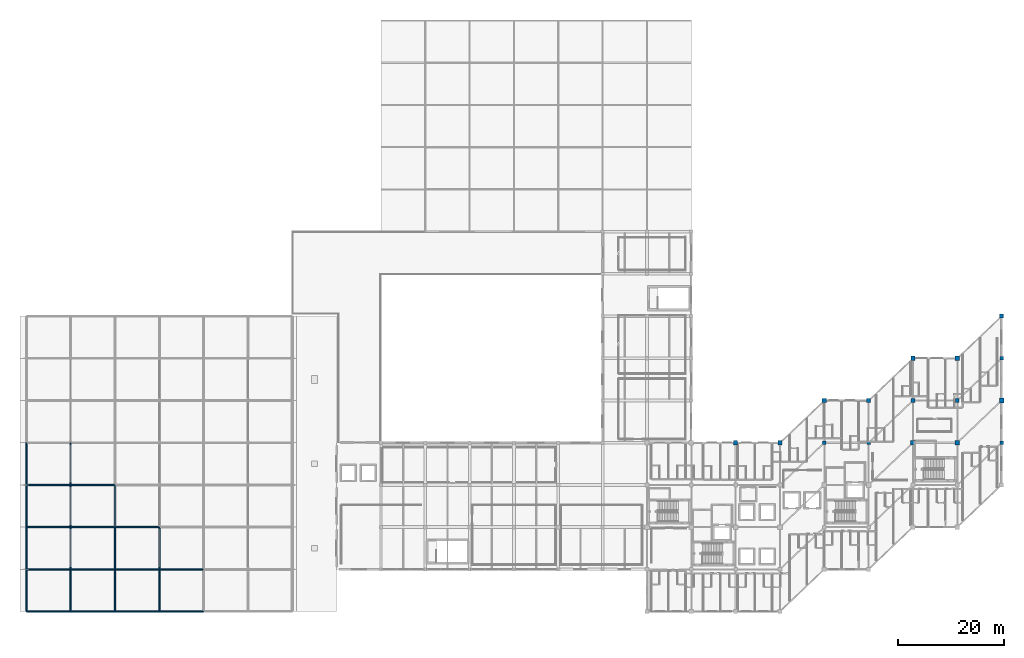
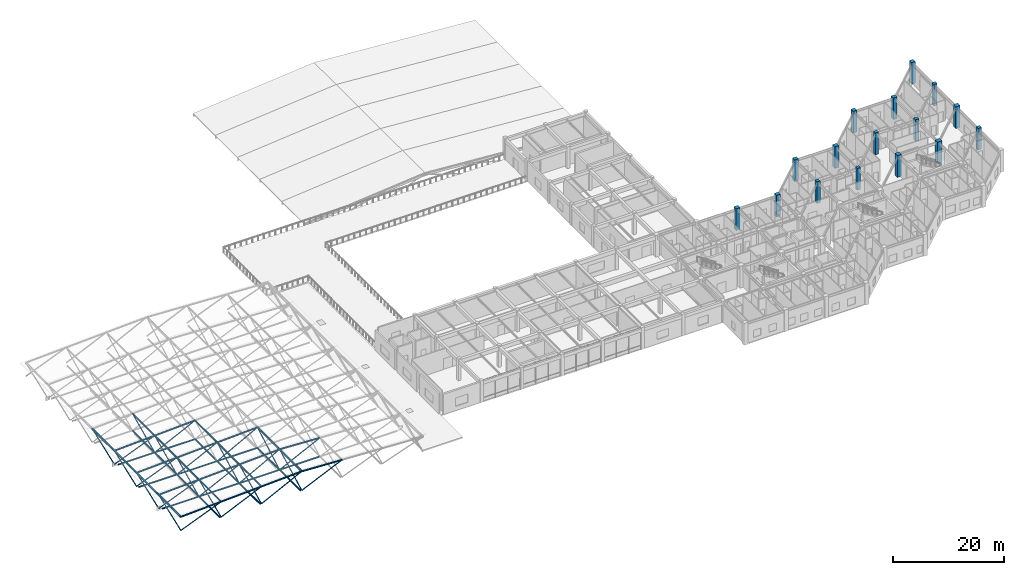
# One storey, part 6 of 37: 38 beams, 31 members, 16 columns.
"""IFC4 building model written with IfcOpenShell, lengths in metres."""

from ifc_helpers import new_model, si_unit, direction, frame, origin, origin_2d, place, context, subcontext, project, spatial, rectangle, hollow_circle, extrude, material, material_profile, profile_set, type_object, element, save


model = new_model("IFC4")

# Units and contexts
model_context = context("Model", 3, precision=1e-05, world=origin(), true_north=direction((0.0, 1.0)))
body_context = subcontext(model_context, "Body", "Model", "MODEL_VIEW")
ifc_project = project(units=[si_unit("LENGTHUNIT", "METRE"), si_unit("AREAUNIT", "SQUARE_METRE"), si_unit("VOLUMEUNIT", "CUBIC_METRE"), si_unit("PLANEANGLEUNIT", "RADIAN"), si_unit("MASSUNIT", "GRAM", prefix="KILO")], contexts=[model_context])

# Site, building, storey
site_placement = place(None, origin())
site = spatial("IfcSite", under=ifc_project, at=site_placement, CompositionType="ELEMENT")
building_placement = place(site_placement, origin())
building = spatial("IfcBuilding", under=site, at=building_placement, Name="Naruveol Harbour Congress Hotel", CompositionType="ELEMENT")
storey_placement = place(building_placement, frame((0.0, 0.0, 16.199951171875)))
storey = spatial("IfcBuildingStorey", under=building, at=storey_placement, Name="L03", CompositionType="ELEMENT", Elevation=16.199951171875)

# Columns
ifc_material_1 = material(Name="Concrete C40/50", Category="concrete")
ifc_material_profile_1 = material_profile(ifc_material_1, rectangle(XDim=0.699951171875, YDim=0.699951171875, at=origin_2d()), Name="RC-700x700")
ifc_profile_set_1 = profile_set([ifc_material_profile_1], Name="Concrete C40/50")
column_type_1 = type_object("IfcColumnType", Name="RC HOTEL COLUMN 700X700", PredefinedType="COLUMN", material=ifc_profile_set_1)
for number, where, z_axis, x_axis, name in (
    (1, (151.199951171875, 32.0, 0.0), (0.0, 0.0, 1.0), (1.0, 0.0, 0.0), "Planted hotel column C-700 L03 S4/J3"),
    (2, (159.60009765625, 32.0, 0.0), (0.0, 0.0, 1.0), (1.0, 0.0, 0.0), "Planted hotel column C-700 L03 S5/J3"),
    (3, (168.0, 40.0, 0.0), (0.0, 0.0, 1.0), (1.0, 0.0, 0.0), "Planted hotel column C-700 L03 S6/J3"),
    (4, (176.39990234375, 40.0, 0.0), (0.0, 0.0, 1.0), (1.0, 0.0, 0.0), "Planted hotel column C-700 L03 S7/J3"),
    (5, (184.800048828125, 32.0, 0.0), (0.0, 0.0, 1.0), (1.0, 0.0, 0.0), "Planted hotel column C-700 L03 S8/J1"),
    (6, (184.800048828125, 48.0, 0.0), (0.0, 0.0, 1.0), (1.0, 0.0, 0.0), "Planted hotel column C-700 L03 S8/J3"),
):
    element("IfcColumn", number, at=place(storey_placement, frame(where, z_axis=z_axis, x_axis=x_axis)), inside=storey, type_object=column_type_1, Name=name, PredefinedType="COLUMN", context=body_context, shape_type="SweptSolid", body=[
        extrude(rectangle(XDim=0.699951171875, YDim=0.699951171875, at=origin_2d()), origin(), (0.0, 0.0, 1.0), 4.800048828125),
    ])
ifc_material_2 = material(Name="Concrete C50/60", Category="concrete")
ifc_material_profile_2 = material_profile(ifc_material_2, rectangle(XDim=0.800048828125, YDim=0.800048828125, at=origin_2d()), Name="RC-800x800")
ifc_profile_set_2 = profile_set([ifc_material_profile_2], Name="Concrete C50/60")
column_type_2 = type_object("IfcColumnType", Name="RC PODIUM COLUMN 800X800", PredefinedType="COLUMN", material=ifc_profile_set_2)
for number, where, z_axis, x_axis, name in (
    (7, (134.39990234375, 32.0, 0.0), (0.0, 0.0, 1.0), (1.0, 0.0, 0.0), "Column C-800 L03 (134.4,32.0)"),
    (8, (142.800048828125, 32.0, 0.0), (0.0, 0.0, 1.0), (1.0, 0.0, 0.0), "Column C-800 L03 (142.8,32.0)"),
    (9, (151.199951171875, 40.0, 0.0), (0.0, 0.0, 1.0), (1.0, 0.0, 0.0), "Column C-800 L03 (151.2,40.0)"),
    (10, (159.60009765625, 40.0, 0.0), (0.0, 0.0, 1.0), (1.0, 0.0, 0.0), "Column C-800 L03 (159.6,40.0)"),
    (11, (168.0, 48.0, 0.0), (0.0, 0.0, 1.0), (1.0, 0.0, 0.0), "Column C-800 L03 (168.0,48.0)"),
    (12, (176.39990234375, 48.0, 0.0), (0.0, 0.0, 1.0), (1.0, 0.0, 0.0), "Column C-800 L03 (176.4,48.0)"),
    (13, (184.800048828125, 56.0, 0.0), (0.0, 0.0, 1.0), (1.0, 0.0, 0.0), "Column C-800 L03 (184.8,56.0)"),
):
    element("IfcColumn", number, at=place(storey_placement, frame(where, z_axis=z_axis, x_axis=x_axis)), inside=storey, type_object=column_type_2, Name=name, PredefinedType="COLUMN", context=body_context, shape_type="SweptSolid", body=[
        extrude(rectangle(XDim=0.800048828125, YDim=0.800048828125, at=origin_2d()), origin(), (0.0, 0.0, 1.0), 4.800048828125),
    ])
ifc_material_3 = material(Name="Concrete C50/60", Category="concrete")
ifc_material_profile_3 = material_profile(ifc_material_3, rectangle(XDim=0.89990234375, YDim=0.89990234375, at=origin_2d()), Name="RC-900x900")
ifc_profile_set_3 = profile_set([ifc_material_profile_3], Name="Concrete C50/60")
column_type_3 = type_object("IfcColumnType", Name="RC PRIMARY COLUMN 900X900", PredefinedType="COLUMN", material=ifc_profile_set_3)
for number, where, z_axis, x_axis, name in (
    (14, (168.0, 32.0, 0.0), (0.0, 0.0, 1.0), (1.0, 0.0, 0.0), "Column C-900 L03 (168.0,32.0)"),
    (15, (176.39990234375, 32.0, 0.0), (0.0, 0.0, 1.0), (1.0, 0.0, 0.0), "Column C-900 L03 (176.4,32.0)"),
    (16, (184.800048828125, 40.0, 0.0), (0.0, 0.0, 1.0), (1.0, 0.0, 0.0), "Column C-900 L03 (184.8,40.0)"),
):
    element("IfcColumn", number, at=place(storey_placement, frame(where, z_axis=z_axis, x_axis=x_axis)), inside=storey, type_object=column_type_3, Name=name, PredefinedType="COLUMN", context=body_context, shape_type="SweptSolid", body=[
        extrude(rectangle(XDim=0.89990234375, YDim=0.89990234375, at=origin_2d()), origin(), (0.0, 0.0, 1.0), 4.800048828125),
    ])

# Beams
ifc_material_4 = material(Name="Steel SN490", Category="steel")
ifc_material_profile_4 = material_profile(ifc_material_4, hollow_circle(Radius=0.161865234375, WallThickness=0.012451171875, at=origin_2d()), Name="CHS-323.9x12.5")
ifc_profile_set_4 = profile_set([ifc_material_profile_4], Name="Steel SN490")
beam_type_1 = type_object("IfcBeamType", Name="STEEL SPACE FRAME BOTTOM CHORD CHS324", PredefinedType="JOIST", material=ifc_profile_set_4)
beam_1_placement = place(storey_placement, frame((0.695068359375, 8.0, -0.320068359375), z_axis=(1.0, 0.0, 0.0), x_axis=(0.0, 1.0, 0.0)))
element("IfcBeam", 17, at=beam_1_placement, inside=storey, type_object=beam_type_1, Name="Space frame bottom chord X #1", PredefinedType="JOIST", context=body_context, shape_type="SweptSolid", body=[
    extrude(hollow_circle(Radius=0.161865234375, WallThickness=0.012451171875, at=origin_2d()), origin(), (0.0, 0.0, 1.0), 7.704833984375),
])
beam_2_placement = place(storey_placement, frame((8.39990234375, 8.0, -0.320068359375), z_axis=(1.0, 0.0, 0.0), x_axis=(0.0, 1.0, 0.0)))
element("IfcBeam", 18, at=beam_2_placement, inside=storey, type_object=beam_type_1, Name="Space frame bottom chord X #2", PredefinedType="JOIST", context=body_context, shape_type="SweptSolid", body=[
    extrude(hollow_circle(Radius=0.161865234375, WallThickness=0.012451171875, at=origin_2d()), origin(), (0.0, 0.0, 1.0), 8.400146484375),
])
beam_3_placement = place(storey_placement, frame((16.800048828125, 8.0, -0.320068359375), z_axis=(1.0, 0.0, 0.0), x_axis=(0.0, 1.0, 0.0)))
element("IfcBeam", 19, at=beam_3_placement, inside=storey, type_object=beam_type_1, Name="Space frame bottom chord X #3", PredefinedType="JOIST", context=body_context, shape_type="SweptSolid", body=[
    extrude(hollow_circle(Radius=0.161865234375, WallThickness=0.012451171875, at=origin_2d()), origin(), (0.0, 0.0, 1.0), 8.39990234375),
])
beam_4_placement = place(storey_placement, frame((25.199951171875, 8.0, -0.320068359375), z_axis=(1.0, 0.0, 0.0), x_axis=(0.0, 1.0, 0.0)))
element("IfcBeam", 20, at=beam_4_placement, inside=storey, type_object=beam_type_1, Name="Space frame bottom chord X #4", PredefinedType="JOIST", context=body_context, shape_type="SweptSolid", body=[
    extrude(hollow_circle(Radius=0.161865234375, WallThickness=0.012451171875, at=origin_2d()), origin(), (0.0, 0.0, 1.0), 8.400146484375),
])
beam_5_placement = place(storey_placement, frame((0.445068359375, 16.0, -0.320068359375), z_axis=(1.0, 0.0, 0.0), x_axis=(0.0, 1.0, 0.0)))
element("IfcBeam", 21, at=beam_5_placement, inside=storey, type_object=beam_type_1, Name="Space frame bottom chord X #7", PredefinedType="JOIST", context=body_context, shape_type="SweptSolid", body=[
    extrude(hollow_circle(Radius=0.161865234375, WallThickness=0.012451171875, at=origin_2d()), origin(), (0.0, 0.0, 1.0), 7.954833984375),
])
beam_6_placement = place(storey_placement, frame((8.39990234375, 16.0, -0.320068359375), z_axis=(1.0, 0.0, 0.0), x_axis=(0.0, 1.0, 0.0)))
element("IfcBeam", 22, at=beam_6_placement, inside=storey, type_object=beam_type_1, Name="Space frame bottom chord X #8", PredefinedType="JOIST", context=body_context, shape_type="SweptSolid", body=[
    extrude(hollow_circle(Radius=0.161865234375, WallThickness=0.012451171875, at=origin_2d()), origin(), (0.0, 0.0, 1.0), 8.400146484375),
])
beam_7_placement = place(storey_placement, frame((16.800048828125, 16.0, -0.320068359375), z_axis=(1.0, 0.0, 0.0), x_axis=(0.0, 1.0, 0.0)))
element("IfcBeam", 23, at=beam_7_placement, inside=storey, type_object=beam_type_1, Name="Space frame bottom chord X #9", PredefinedType="JOIST", context=body_context, shape_type="SweptSolid", body=[
    extrude(hollow_circle(Radius=0.161865234375, WallThickness=0.012451171875, at=origin_2d()), origin(), (0.0, 0.0, 1.0), 8.39990234375),
])
beam_8_placement = place(storey_placement, frame((0.695068359375, 24.0, -0.320068359375), z_axis=(1.0, 0.0, 0.0), x_axis=(0.0, 1.0, 0.0)))
element("IfcBeam", 24, at=beam_8_placement, inside=storey, type_object=beam_type_1, Name="Space frame bottom chord X #13", PredefinedType="JOIST", context=body_context, shape_type="SweptSolid", body=[
    extrude(hollow_circle(Radius=0.161865234375, WallThickness=0.012451171875, at=origin_2d()), origin(), (0.0, 0.0, 1.0), 7.704833984375),
])
beam_9_placement = place(storey_placement, frame((8.39990234375, 24.0, -0.320068359375), z_axis=(1.0, 0.0, 0.0), x_axis=(0.0, 1.0, 0.0)))
element("IfcBeam", 25, at=beam_9_placement, inside=storey, type_object=beam_type_1, Name="Space frame bottom chord X #14", PredefinedType="JOIST", context=body_context, shape_type="SweptSolid", body=[
    extrude(hollow_circle(Radius=0.161865234375, WallThickness=0.012451171875, at=origin_2d()), origin(), (0.0, 0.0, 1.0), 8.400146484375),
])
beam_10_placement = place(storey_placement, frame((8.39990234375, 0.445068359375, -0.320068359375), z_axis=(0.0, 1.0, 0.0), x_axis=(-1.0, 0.0, 0.0)))
element("IfcBeam", 26, at=beam_10_placement, inside=storey, type_object=beam_type_1, Name="Space frame bottom chord Y #37", PredefinedType="JOIST", context=body_context, shape_type="SweptSolid", body=[
    extrude(hollow_circle(Radius=0.161865234375, WallThickness=0.012451171875, at=origin_2d()), origin(), (0.0, 0.0, 1.0), 7.554931640625),
])
for number, where, z_axis, x_axis, name in (
    (27, (8.39990234375, 8.0, -0.320068359375), (0.0, 1.0, 0.0), (-1.0, 0.0, 0.0), "Space frame bottom chord Y #38"),
    (28, (8.39990234375, 16.0, -0.320068359375), (0.0, 1.0, 0.0), (-1.0, 0.0, 0.0), "Space frame bottom chord Y #39"),
    (29, (8.39990234375, 24.0, -0.320068359375), (0.0, 1.0, 0.0), (-1.0, 0.0, 0.0), "Space frame bottom chord Y #40"),
):
    element("IfcBeam", number, at=place(storey_placement, frame(where, z_axis=z_axis, x_axis=x_axis)), inside=storey, type_object=beam_type_1, Name=name, PredefinedType="JOIST", context=body_context, shape_type="SweptSolid", body=[
        extrude(hollow_circle(Radius=0.161865234375, WallThickness=0.012451171875, at=origin_2d()), origin(), (0.0, 0.0, 1.0), 8.0),
    ])
beam_11_placement = place(storey_placement, frame((16.800048828125, 0.445068359375, -0.320068359375), z_axis=(0.0, 1.0, 0.0), x_axis=(-1.0, 0.0, 0.0)))
element("IfcBeam", 30, at=beam_11_placement, inside=storey, type_object=beam_type_1, Name="Space frame bottom chord Y #44", PredefinedType="JOIST", context=body_context, shape_type="SweptSolid", body=[
    extrude(hollow_circle(Radius=0.161865234375, WallThickness=0.012451171875, at=origin_2d()), origin(), (0.0, 0.0, 1.0), 7.554931640625),
])
for number, where, z_axis, x_axis, name in (
    (31, (16.800048828125, 8.0, -0.320068359375), (0.0, 1.0, 0.0), (-1.0, 0.0, 0.0), "Space frame bottom chord Y #45"),
    (32, (16.800048828125, 16.0, -0.320068359375), (0.0, 1.0, 0.0), (-1.0, 0.0, 0.0), "Space frame bottom chord Y #46"),
):
    element("IfcBeam", number, at=place(storey_placement, frame(where, z_axis=z_axis, x_axis=x_axis)), inside=storey, type_object=beam_type_1, Name=name, PredefinedType="JOIST", context=body_context, shape_type="SweptSolid", body=[
        extrude(hollow_circle(Radius=0.161865234375, WallThickness=0.012451171875, at=origin_2d()), origin(), (0.0, 0.0, 1.0), 8.0),
    ])
beam_12_placement = place(storey_placement, frame((25.199951171875, 0.445068359375, -0.320068359375), z_axis=(0.0, 1.0, 0.0), x_axis=(-1.0, 0.0, 0.0)))
element("IfcBeam", 33, at=beam_12_placement, inside=storey, type_object=beam_type_1, Name="Space frame bottom chord Y #51", PredefinedType="JOIST", context=body_context, shape_type="SweptSolid", body=[
    extrude(hollow_circle(Radius=0.161865234375, WallThickness=0.012451171875, at=origin_2d()), origin(), (0.0, 0.0, 1.0), 7.554931640625),
])
beam_13_placement = place(storey_placement, frame((25.199951171875, 8.0, -0.320068359375), z_axis=(0.0, 1.0, 0.0), x_axis=(-1.0, 0.0, 0.0)))
element("IfcBeam", 34, at=beam_13_placement, inside=storey, type_object=beam_type_1, Name="Space frame bottom chord Y #52", PredefinedType="JOIST", context=body_context, shape_type="SweptSolid", body=[
    extrude(hollow_circle(Radius=0.161865234375, WallThickness=0.012451171875, at=origin_2d()), origin(), (0.0, 0.0, 1.0), 8.0),
])

# Members
ifc_material_5 = material(Name="Steel SN490", Category="steel")
ifc_material_profile_5 = material_profile(ifc_material_5, hollow_circle(Radius=0.203125, WallThickness=0.01611328125, at=origin_2d()), Name="CHS-406.4x16")
ifc_profile_set_5 = profile_set([ifc_material_profile_5], Name="Steel SN490")
member_type_1 = type_object("IfcMemberType", Name="STEEL SPACE FRAME COLLECTOR CHORD CHS406", PredefinedType="CHORD", material=ifc_profile_set_5)
for number, where, z_axis, x_axis, name in (
    (35, (0.0, 0.0, 3.0), (0.0, 1.0, 0.0), (-1.0, 0.0, 0.0), "Space frame top chord Y #120"),
    (36, (0.0, 8.0, 3.0), (0.0, 1.0, 0.0), (-1.0, 0.0, 0.0), "Space frame top chord Y #121"),
    (37, (0.0, 16.0, 3.0), (0.0, 1.0, 0.0), (-1.0, 0.0, 0.0), "Space frame top chord Y #122"),
    (38, (0.0, 24.0, 3.0), (0.0, 1.0, 0.0), (-1.0, 0.0, 0.0), "Space frame top chord Y #123"),
    (39, (25.199951171875, 0.0, 4.199951171875), (0.0, 1.0, 0.0), (-1.0, 0.0, 0.0), "Space frame top chord Y #141"),
    (40, (25.199951171875, 8.0, 4.199951171875), (0.0, 1.0, 0.0), (-1.0, 0.0, 0.0), "Space frame top chord Y #142"),
):
    element("IfcMember", number, at=place(storey_placement, frame(where, z_axis=z_axis, x_axis=x_axis)), inside=storey, type_object=member_type_1, Name=name, PredefinedType="CHORD", context=body_context, shape_type="SweptSolid", body=[
        extrude(hollow_circle(Radius=0.203125, WallThickness=0.01611328125, at=origin_2d()), origin(), (0.0, 0.0, 1.0), 8.0),
    ])
ifc_material_6 = material(Name="Steel SN490", Category="steel")
ifc_material_profile_6 = material_profile(ifc_material_6, hollow_circle(Radius=0.109619140625, WallThickness=0.010009765625, at=origin_2d()), Name="CHS-219.1x10")
ifc_profile_set_6 = profile_set([ifc_material_profile_6], Name="Steel SN490")
member_type_2 = type_object("IfcMemberType", Name="STEEL SPACE FRAME MAIN DIAGONAL CHS219", PredefinedType="BRACE", material=ifc_profile_set_6)
member_1_placement = place(storey_placement, frame((0.0, 0.0, 0.0), z_axis=(0.926939674222, 0.0, 0.375210394783), x_axis=(0.0, 1.0, 0.0)))
element("IfcMember", 41, at=member_1_placement, inside=storey, type_object=member_type_2, Name="Space frame web diagonal #169", PredefinedType="BRACE", context=body_context, shape_type="SweptSolid", body=[
    extrude(hollow_circle(Radius=0.109619140625, WallThickness=0.010009765625, at=origin_2d()), origin(), (0.0, 0.0, 1.0), 9.06201171875),
])
member_2_placement = place(storey_placement, frame((0.0, 0.0, 0.0), z_axis=(0.0, 0.936329177569, 0.351123441588), x_axis=(-1.0, 0.0, 0.0)))
element("IfcMember", 42, at=member_2_placement, inside=storey, type_object=member_type_2, Name="Space frame transverse diagonal #170", PredefinedType="BRACE", context=body_context, shape_type="SweptSolid", body=[
    extrude(hollow_circle(Radius=0.109619140625, WallThickness=0.010009765625, at=origin_2d()), origin(), (0.0, 0.0, 1.0), 8.5439453125),
])
member_3_placement = place(storey_placement, frame((0.0, 8.0, 0.0), z_axis=(0.926939674222, 0.0, 0.375210394783), x_axis=(0.0, 1.0, 0.0)))
element("IfcMember", 43, at=member_3_placement, inside=storey, type_object=member_type_2, Name="Space frame web diagonal #171", PredefinedType="BRACE", context=body_context, shape_type="SweptSolid", body=[
    extrude(hollow_circle(Radius=0.109619140625, WallThickness=0.010009765625, at=origin_2d()), origin(), (0.0, 0.0, 1.0), 9.06201171875),
])
member_4_placement = place(storey_placement, frame((0.0, 8.0, 0.0), z_axis=(0.0, 0.936329177569, 0.351123441588), x_axis=(-1.0, 0.0, 0.0)))
element("IfcMember", 44, at=member_4_placement, inside=storey, type_object=member_type_2, Name="Space frame transverse diagonal #172", PredefinedType="BRACE", context=body_context, shape_type="SweptSolid", body=[
    extrude(hollow_circle(Radius=0.109619140625, WallThickness=0.010009765625, at=origin_2d()), origin(), (0.0, 0.0, 1.0), 8.5439453125),
])
member_5_placement = place(storey_placement, frame((0.0, 16.0, 0.0), z_axis=(0.926939674222, 0.0, 0.375210394783), x_axis=(0.0, 1.0, 0.0)))
element("IfcMember", 45, at=member_5_placement, inside=storey, type_object=member_type_2, Name="Space frame web diagonal #173", PredefinedType="BRACE", context=body_context, shape_type="SweptSolid", body=[
    extrude(hollow_circle(Radius=0.109619140625, WallThickness=0.010009765625, at=origin_2d()), origin(), (0.0, 0.0, 1.0), 9.06201171875),
])
member_6_placement = place(storey_placement, frame((0.0, 16.0, 0.0), z_axis=(0.0, 0.936329177569, 0.351123441588), x_axis=(-1.0, 0.0, 0.0)))
element("IfcMember", 46, at=member_6_placement, inside=storey, type_object=member_type_2, Name="Space frame transverse diagonal #174", PredefinedType="BRACE", context=body_context, shape_type="SweptSolid", body=[
    extrude(hollow_circle(Radius=0.109619140625, WallThickness=0.010009765625, at=origin_2d()), origin(), (0.0, 0.0, 1.0), 8.5439453125),
])
member_7_placement = place(storey_placement, frame((0.0, 24.0, 0.0), z_axis=(0.926939674222, 0.0, 0.375210394783), x_axis=(0.0, 1.0, 0.0)))
element("IfcMember", 47, at=member_7_placement, inside=storey, type_object=member_type_2, Name="Space frame web diagonal #175", PredefinedType="BRACE", context=body_context, shape_type="SweptSolid", body=[
    extrude(hollow_circle(Radius=0.109619140625, WallThickness=0.010009765625, at=origin_2d()), origin(), (0.0, 0.0, 1.0), 9.06201171875),
])
member_8_placement = place(storey_placement, frame((0.0, 24.0, 0.0), z_axis=(0.0, 0.936329177569, 0.351123441588), x_axis=(-1.0, 0.0, 0.0)))
element("IfcMember", 48, at=member_8_placement, inside=storey, type_object=member_type_2, Name="Space frame transverse diagonal #176", PredefinedType="BRACE", context=body_context, shape_type="SweptSolid", body=[
    extrude(hollow_circle(Radius=0.109619140625, WallThickness=0.010009765625, at=origin_2d()), origin(), (0.0, 0.0, 1.0), 8.5439453125),
])
member_9_placement = place(storey_placement, frame((8.39990234375, 0.0, 0.0), z_axis=(0.911108633133, 0.0, 0.412166299727), x_axis=(0.0, 1.0, 0.0)))
element("IfcMember", 49, at=member_9_placement, inside=storey, type_object=member_type_2, Name="Space frame web diagonal #184", PredefinedType="BRACE", context=body_context, shape_type="SweptSolid", body=[
    extrude(hollow_circle(Radius=0.109619140625, WallThickness=0.010009765625, at=origin_2d()), origin(), (0.0, 0.0, 1.0), 9.2197265625),
])
member_10_placement = place(storey_placement, frame((8.39990234375, 0.0, 0.0), z_axis=(0.0, 0.92032485211, 0.391154913798), x_axis=(-1.0, 0.0, 0.0)))
element("IfcMember", 50, at=member_10_placement, inside=storey, type_object=member_type_2, Name="Space frame transverse diagonal #185", PredefinedType="BRACE", context=body_context, shape_type="SweptSolid", body=[
    extrude(hollow_circle(Radius=0.109619140625, WallThickness=0.010009765625, at=origin_2d()), origin(), (0.0, 0.0, 1.0), 8.692626953125),
])
member_11_placement = place(storey_placement, frame((8.39990234375, 8.0, -0.320068359375), z_axis=(0.897819388189, 0.0, 0.4403638793), x_axis=(0.0, 1.0, 0.0)))
element("IfcMember", 51, at=member_11_placement, inside=storey, type_object=member_type_2, Name="Space frame web diagonal #186", PredefinedType="BRACE", context=body_context, shape_type="SweptSolid", body=[
    extrude(hollow_circle(Radius=0.109619140625, WallThickness=0.010009765625, at=origin_2d()), origin(), (0.0, 0.0, 1.0), 9.356201171875),
])
member_12_placement = place(storey_placement, frame((8.39990234375, 8.0, -0.320068359375), z_axis=(0.0, 0.906752115722, 0.421664085064), x_axis=(-1.0, 0.0, 0.0)))
element("IfcMember", 52, at=member_12_placement, inside=storey, type_object=member_type_2, Name="Space frame transverse diagonal #187", PredefinedType="BRACE", context=body_context, shape_type="SweptSolid", body=[
    extrude(hollow_circle(Radius=0.109619140625, WallThickness=0.010009765625, at=origin_2d()), origin(), (0.0, 0.0, 1.0), 8.82275390625),
])
member_13_placement = place(storey_placement, frame((8.39990234375, 16.0, -0.320068359375), z_axis=(0.897819388189, 0.0, 0.4403638793), x_axis=(0.0, 1.0, 0.0)))
element("IfcMember", 53, at=member_13_placement, inside=storey, type_object=member_type_2, Name="Space frame web diagonal #188", PredefinedType="BRACE", context=body_context, shape_type="SweptSolid", body=[
    extrude(hollow_circle(Radius=0.109619140625, WallThickness=0.010009765625, at=origin_2d()), origin(), (0.0, 0.0, 1.0), 9.356201171875),
])
member_14_placement = place(storey_placement, frame((8.39990234375, 16.0, -0.320068359375), z_axis=(0.0, 0.906752115722, 0.421664085064), x_axis=(-1.0, 0.0, 0.0)))
element("IfcMember", 54, at=member_14_placement, inside=storey, type_object=member_type_2, Name="Space frame transverse diagonal #189", PredefinedType="BRACE", context=body_context, shape_type="SweptSolid", body=[
    extrude(hollow_circle(Radius=0.109619140625, WallThickness=0.010009765625, at=origin_2d()), origin(), (0.0, 0.0, 1.0), 8.82275390625),
])
member_15_placement = place(storey_placement, frame((8.39990234375, 24.0, -0.320068359375), z_axis=(0.897819388189, 0.0, 0.4403638793), x_axis=(0.0, 1.0, 0.0)))
element("IfcMember", 55, at=member_15_placement, inside=storey, type_object=member_type_2, Name="Space frame web diagonal #190", PredefinedType="BRACE", context=body_context, shape_type="SweptSolid", body=[
    extrude(hollow_circle(Radius=0.109619140625, WallThickness=0.010009765625, at=origin_2d()), origin(), (0.0, 0.0, 1.0), 9.356201171875),
])
member_16_placement = place(storey_placement, frame((8.39990234375, 24.0, -0.320068359375), z_axis=(0.0, 0.906752115722, 0.421664085064), x_axis=(-1.0, 0.0, 0.0)))
element("IfcMember", 56, at=member_16_placement, inside=storey, type_object=member_type_2, Name="Space frame transverse diagonal #191", PredefinedType="BRACE", context=body_context, shape_type="SweptSolid", body=[
    extrude(hollow_circle(Radius=0.109619140625, WallThickness=0.010009765625, at=origin_2d()), origin(), (0.0, 0.0, 1.0), 8.82275390625),
])
member_17_placement = place(storey_placement, frame((16.800048828125, 0.0, 0.0), z_axis=(0.894427191, 0.0, 0.4472135955), x_axis=(0.0, 1.0, 0.0)))
element("IfcMember", 57, at=member_17_placement, inside=storey, type_object=member_type_2, Name="Space frame web diagonal #199", PredefinedType="BRACE", context=body_context, shape_type="SweptSolid", body=[
    extrude(hollow_circle(Radius=0.109619140625, WallThickness=0.010009765625, at=origin_2d()), origin(), (0.0, 0.0, 1.0), 9.391357421875),
])
member_18_placement = place(storey_placement, frame((16.800048828125, 0.0, 0.0), z_axis=(0.0, 0.903275367679, 0.429061312803), x_axis=(-1.0, 0.0, 0.0)))
element("IfcMember", 58, at=member_18_placement, inside=storey, type_object=member_type_2, Name="Space frame transverse diagonal #200", PredefinedType="BRACE", context=body_context, shape_type="SweptSolid", body=[
    extrude(hollow_circle(Radius=0.109619140625, WallThickness=0.010009765625, at=origin_2d()), origin(), (0.0, 0.0, 1.0), 8.856689453125),
])
member_19_placement = place(storey_placement, frame((16.800048828125, 8.0, -0.320068359375), z_axis=(0.880602560466, 0.0, 0.473855600897), x_axis=(0.0, 1.0, 0.0)))
element("IfcMember", 59, at=member_19_placement, inside=storey, type_object=member_type_2, Name="Space frame web diagonal #201", PredefinedType="BRACE", context=body_context, shape_type="SweptSolid", body=[
    extrude(hollow_circle(Radius=0.109619140625, WallThickness=0.010009765625, at=origin_2d()), origin(), (0.0, 0.0, 1.0), 9.538818359375),
])
member_20_placement = place(storey_placement, frame((16.800048828125, 8.0, -0.320068359375), z_axis=(0.0, 0.889024087691, 0.457860427975), x_axis=(-1.0, 0.0, 0.0)))
element("IfcMember", 60, at=member_20_placement, inside=storey, type_object=member_type_2, Name="Space frame transverse diagonal #202", PredefinedType="BRACE", context=body_context, shape_type="SweptSolid", body=[
    extrude(hollow_circle(Radius=0.109619140625, WallThickness=0.010009765625, at=origin_2d()), origin(), (0.0, 0.0, 1.0), 8.99853515625),
])
member_21_placement = place(storey_placement, frame((16.800048828125, 16.0, -0.320068359375), z_axis=(0.880602560466, 0.0, 0.473855600897), x_axis=(0.0, 1.0, 0.0)))
element("IfcMember", 61, at=member_21_placement, inside=storey, type_object=member_type_2, Name="Space frame web diagonal #203", PredefinedType="BRACE", context=body_context, shape_type="SweptSolid", body=[
    extrude(hollow_circle(Radius=0.109619140625, WallThickness=0.010009765625, at=origin_2d()), origin(), (0.0, 0.0, 1.0), 9.538818359375),
])
member_22_placement = place(storey_placement, frame((25.199951171875, 0.0, 0.0), z_axis=(0.911108633133, 0.0, 0.412166299727), x_axis=(0.0, 1.0, 0.0)))
element("IfcMember", 62, at=member_22_placement, inside=storey, type_object=member_type_2, Name="Space frame web diagonal #214", PredefinedType="BRACE", context=body_context, shape_type="SweptSolid", body=[
    extrude(hollow_circle(Radius=0.109619140625, WallThickness=0.010009765625, at=origin_2d()), origin(), (0.0, 0.0, 1.0), 9.2197265625),
])
member_23_placement = place(storey_placement, frame((25.199951171875, 0.0, 0.0), z_axis=(0.0, 0.885400126936, 0.464829662588), x_axis=(-1.0, 0.0, 0.0)))
element("IfcMember", 63, at=member_23_placement, inside=storey, type_object=member_type_2, Name="Space frame transverse diagonal #215", PredefinedType="BRACE", context=body_context, shape_type="SweptSolid", body=[
    extrude(hollow_circle(Radius=0.109619140625, WallThickness=0.010009765625, at=origin_2d()), origin(), (0.0, 0.0, 1.0), 9.035400390625),
])
member_24_placement = place(storey_placement, frame((25.199951171875, 8.0, -0.320068359375), z_axis=(0.897819388189, 0.0, 0.4403638793), x_axis=(0.0, 1.0, 0.0)))
element("IfcMember", 64, at=member_24_placement, inside=storey, type_object=member_type_2, Name="Space frame web diagonal #216", PredefinedType="BRACE", context=body_context, shape_type="SweptSolid", body=[
    extrude(hollow_circle(Radius=0.109619140625, WallThickness=0.010009765625, at=origin_2d()), origin(), (0.0, 0.0, 1.0), 9.356201171875),
])
member_25_placement = place(storey_placement, frame((25.199951171875, 8.0, -0.320068359375), z_axis=(0.0, 0.870642993702, 0.491915417035), x_axis=(-1.0, 0.0, 0.0)))
element("IfcMember", 65, at=member_25_placement, inside=storey, type_object=member_type_2, Name="Space frame transverse diagonal #217", PredefinedType="BRACE", context=body_context, shape_type="SweptSolid", body=[
    extrude(hollow_circle(Radius=0.109619140625, WallThickness=0.010009765625, at=origin_2d()), origin(), (0.0, 0.0, 1.0), 9.188720703125),
])

# Beams
ifc_material_7 = material(Name="Steel SN490", Category="steel")
ifc_material_profile_7 = material_profile(ifc_material_7, hollow_circle(Radius=0.177734375, WallThickness=0.01611328125, at=origin_2d()), Name="CHS-355.6x16")
ifc_profile_set_7 = profile_set([ifc_material_profile_7], Name="Steel SN490")
beam_type_2 = type_object("IfcBeamType", Name="STEEL SPACE FRAME TOP CHORD CHS356", PredefinedType="JOIST", material=ifc_profile_set_7)
beam_14_placement = place(storey_placement, frame((0.0, 0.0, 3.0), z_axis=(0.998867283688, 0.0, 0.047583080799), x_axis=(0.0, 1.0, 0.0)))
element("IfcBeam", 66, at=beam_14_placement, inside=storey, type_object=beam_type_2, Name="Space frame top chord X #72", PredefinedType="JOIST", context=body_context, shape_type="SweptSolid", body=[
    extrude(hollow_circle(Radius=0.177734375, WallThickness=0.01611328125, at=origin_2d()), origin(), (0.0, 0.0, 1.0), 8.409423828125),
])
beam_15_placement = place(storey_placement, frame((8.39990234375, 0.0, 3.400146484375), z_axis=(0.998868728776, 0.0, 0.047552735715), x_axis=(0.0, 1.0, 0.0)))
element("IfcBeam", 67, at=beam_15_placement, inside=storey, type_object=beam_type_2, Name="Space frame top chord X #73", PredefinedType="JOIST", context=body_context, shape_type="SweptSolid", body=[
    extrude(hollow_circle(Radius=0.177734375, WallThickness=0.01611328125, at=origin_2d()), origin(), (0.0, 0.0, 1.0), 8.40966796875),
])
beam_16_placement = place(storey_placement, frame((16.800048828125, 0.0, 3.800048828125), z_axis=(0.998868663126, 0.0, 0.047554114695), x_axis=(0.0, 1.0, 0.0)))
element("IfcBeam", 68, at=beam_16_placement, inside=storey, type_object=beam_type_2, Name="Space frame top chord X #74", PredefinedType="JOIST", context=body_context, shape_type="SweptSolid", body=[
    extrude(hollow_circle(Radius=0.177734375, WallThickness=0.01611328125, at=origin_2d()), origin(), (0.0, 0.0, 1.0), 8.409423828125),
])
beam_17_placement = place(storey_placement, frame((25.199951171875, 0.0, 4.199951171875), z_axis=(0.998868728776, 0.0, -0.047552735715), x_axis=(0.0, 1.0, 0.0)))
element("IfcBeam", 69, at=beam_17_placement, inside=storey, type_object=beam_type_2, Name="Space frame top chord X #75", PredefinedType="JOIST", context=body_context, shape_type="SweptSolid", body=[
    extrude(hollow_circle(Radius=0.177734375, WallThickness=0.01611328125, at=origin_2d()), origin(), (0.0, 0.0, 1.0), 8.40966796875),
])
beam_18_placement = place(storey_placement, frame((0.0, 8.0, 3.0), z_axis=(0.998867283688, 0.0, 0.047583080799), x_axis=(0.0, 1.0, 0.0)))
element("IfcBeam", 70, at=beam_18_placement, inside=storey, type_object=beam_type_2, Name="Space frame top chord X #78", PredefinedType="JOIST", context=body_context, shape_type="SweptSolid", body=[
    extrude(hollow_circle(Radius=0.177734375, WallThickness=0.01611328125, at=origin_2d()), origin(), (0.0, 0.0, 1.0), 8.409423828125),
])
beam_19_placement = place(storey_placement, frame((8.39990234375, 8.0, 3.400146484375), z_axis=(0.998868728776, 0.0, 0.047552735715), x_axis=(0.0, 1.0, 0.0)))
element("IfcBeam", 71, at=beam_19_placement, inside=storey, type_object=beam_type_2, Name="Space frame top chord X #79", PredefinedType="JOIST", context=body_context, shape_type="SweptSolid", body=[
    extrude(hollow_circle(Radius=0.177734375, WallThickness=0.01611328125, at=origin_2d()), origin(), (0.0, 0.0, 1.0), 8.40966796875),
])
beam_20_placement = place(storey_placement, frame((16.800048828125, 8.0, 3.800048828125), z_axis=(0.998868663126, 0.0, 0.047554114695), x_axis=(0.0, 1.0, 0.0)))
element("IfcBeam", 72, at=beam_20_placement, inside=storey, type_object=beam_type_2, Name="Space frame top chord X #80", PredefinedType="JOIST", context=body_context, shape_type="SweptSolid", body=[
    extrude(hollow_circle(Radius=0.177734375, WallThickness=0.01611328125, at=origin_2d()), origin(), (0.0, 0.0, 1.0), 8.409423828125),
])
beam_21_placement = place(storey_placement, frame((25.199951171875, 8.0, 4.199951171875), z_axis=(0.998868728776, 0.0, -0.047552735715), x_axis=(0.0, 1.0, 0.0)))
element("IfcBeam", 73, at=beam_21_placement, inside=storey, type_object=beam_type_2, Name="Space frame top chord X #81", PredefinedType="JOIST", context=body_context, shape_type="SweptSolid", body=[
    extrude(hollow_circle(Radius=0.177734375, WallThickness=0.01611328125, at=origin_2d()), origin(), (0.0, 0.0, 1.0), 8.40966796875),
])
beam_22_placement = place(storey_placement, frame((0.0, 16.0, 3.0), z_axis=(0.998867283688, 0.0, 0.047583080799), x_axis=(0.0, 1.0, 0.0)))
element("IfcBeam", 74, at=beam_22_placement, inside=storey, type_object=beam_type_2, Name="Space frame top chord X #84", PredefinedType="JOIST", context=body_context, shape_type="SweptSolid", body=[
    extrude(hollow_circle(Radius=0.177734375, WallThickness=0.01611328125, at=origin_2d()), origin(), (0.0, 0.0, 1.0), 8.409423828125),
])
beam_23_placement = place(storey_placement, frame((8.39990234375, 16.0, 3.400146484375), z_axis=(0.998868728776, 0.0, 0.047552735715), x_axis=(0.0, 1.0, 0.0)))
element("IfcBeam", 75, at=beam_23_placement, inside=storey, type_object=beam_type_2, Name="Space frame top chord X #85", PredefinedType="JOIST", context=body_context, shape_type="SweptSolid", body=[
    extrude(hollow_circle(Radius=0.177734375, WallThickness=0.01611328125, at=origin_2d()), origin(), (0.0, 0.0, 1.0), 8.40966796875),
])
for number, where, z_axis, x_axis, name in (
    (76, (16.800048828125, 16.0, 3.800048828125), (0.998868663126, 0.0, 0.047554114695), (0.0, 1.0, 0.0), "Space frame top chord X #86"),
    (77, (0.0, 24.0, 3.0), (0.998867283688, 0.0, 0.047583080799), (0.0, 1.0, 0.0), "Space frame top chord X #90"),
):
    element("IfcBeam", number, at=place(storey_placement, frame(where, z_axis=z_axis, x_axis=x_axis)), inside=storey, type_object=beam_type_2, Name=name, PredefinedType="JOIST", context=body_context, shape_type="SweptSolid", body=[
        extrude(hollow_circle(Radius=0.177734375, WallThickness=0.01611328125, at=origin_2d()), origin(), (0.0, 0.0, 1.0), 8.409423828125),
    ])
beam_24_placement = place(storey_placement, frame((8.39990234375, 24.0, 3.400146484375), z_axis=(0.998868728776, 0.0, 0.047552735715), x_axis=(0.0, 1.0, 0.0)))
element("IfcBeam", 78, at=beam_24_placement, inside=storey, type_object=beam_type_2, Name="Space frame top chord X #91", PredefinedType="JOIST", context=body_context, shape_type="SweptSolid", body=[
    extrude(hollow_circle(Radius=0.177734375, WallThickness=0.01611328125, at=origin_2d()), origin(), (0.0, 0.0, 1.0), 8.40966796875),
])
for number, where, z_axis, x_axis, name in (
    (79, (8.39990234375, 0.0, 3.400146484375), (0.0, 1.0, 0.0), (-1.0, 0.0, 0.0), "Space frame top chord Y #127"),
    (80, (8.39990234375, 8.0, 3.400146484375), (0.0, 1.0, 0.0), (-1.0, 0.0, 0.0), "Space frame top chord Y #128"),
    (81, (8.39990234375, 16.0, 3.400146484375), (0.0, 1.0, 0.0), (-1.0, 0.0, 0.0), "Space frame top chord Y #129"),
    (82, (8.39990234375, 24.0, 3.400146484375), (0.0, 1.0, 0.0), (-1.0, 0.0, 0.0), "Space frame top chord Y #130"),
    (83, (16.800048828125, 0.0, 3.800048828125), (0.0, 1.0, 0.0), (-1.0, 0.0, 0.0), "Space frame top chord Y #134"),
    (84, (16.800048828125, 8.0, 3.800048828125), (0.0, 1.0, 0.0), (-1.0, 0.0, 0.0), "Space frame top chord Y #135"),
    (85, (16.800048828125, 16.0, 3.800048828125), (0.0, 1.0, 0.0), (-1.0, 0.0, 0.0), "Space frame top chord Y #136"),
):
    element("IfcBeam", number, at=place(storey_placement, frame(where, z_axis=z_axis, x_axis=x_axis)), inside=storey, type_object=beam_type_2, Name=name, PredefinedType="JOIST", context=body_context, shape_type="SweptSolid", body=[
        extrude(hollow_circle(Radius=0.177734375, WallThickness=0.01611328125, at=origin_2d()), origin(), (0.0, 0.0, 1.0), 8.0),
    ])

save(model, "model.ifc")
